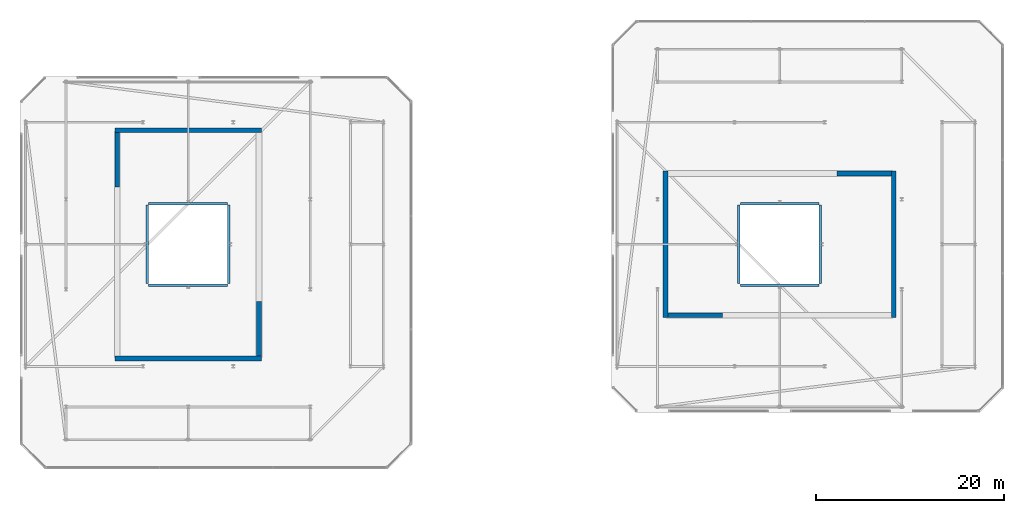
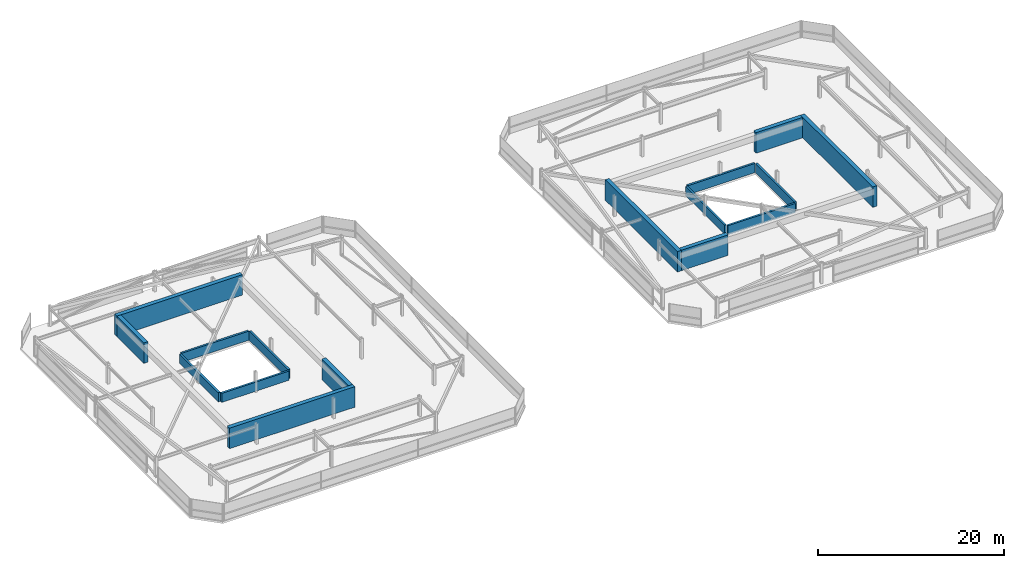
# One storey, part 44 of 44: 16 walls.
"""IFC4 building model written with IfcOpenShell, lengths in metres."""

from ifc_helpers import new_model, si_unit, direction, frame, frame_2d, origin, place, context, subcontext, project, spatial, rectangle, extrude, material, layer, layer_set, type_object, element, save


model = new_model("IFC4")

# Units and contexts
model_context = context("Model", 3, precision=1e-05, world=origin(), true_north=direction((0.0, 1.0)))
body_context = subcontext(model_context, "Body", "Model", "MODEL_VIEW")
ifc_project = project(units=[si_unit("LENGTHUNIT", "METRE"), si_unit("AREAUNIT", "SQUARE_METRE"), si_unit("VOLUMEUNIT", "CUBIC_METRE"), si_unit("PLANEANGLEUNIT", "RADIAN"), si_unit("MASSUNIT", "GRAM", prefix="KILO")], contexts=[model_context])

# Site, building, storey
site_placement = place(None, origin())
site = spatial("IfcSite", under=ifc_project, at=site_placement, CompositionType="ELEMENT")
building_placement = place(site_placement, origin())
building = spatial("IfcBuilding", under=site, at=building_placement, Name="Thornwick Lancets Civic Towers", CompositionType="ELEMENT")
storey_placement = place(building_placement, frame((0.0, 0.0, 294.89990234375)))
storey = spatial("IfcBuildingStorey", under=building, at=storey_placement, Name="C06", CompositionType="ELEMENT", Elevation=294.89990234375)

# Walls
ifc_material_1 = material(Name="Concrete C50/60", Category="concrete")
ifc_layer_1 = layer(ifc_material_1, 0.5, Name="Concrete C50/60")
ifc_layer_set_1 = layer_set([ifc_layer_1], Name="Concrete C50/60")
wall_type_1 = type_object("IfcWallType", Name="WALL_CORE_500", PredefinedType="SHEAR", material=ifc_layer_set_1)
wall_1_placement = place(storey_placement, frame((17.699951171875, 14.85009765625, 0.0), z_axis=(0.0, 0.0, 1.0), x_axis=(1.0, 0.0, 0.0)))
element("IfcWall", 1, at=wall_1_placement, inside=storey, type_object=wall_type_1, Name="C06 Split Core A1 Shear Wall S", PredefinedType="SHEAR", context=body_context, shape_type="SweptSolid", body=[
    extrude(rectangle(XDim=15.60009765625, YDim=0.5, at=frame_2d((7.800048828125, 0.0))), origin(), (0.0, 0.0, 1.0), 2.7001953125),
])
wall_2_placement = place(storey_placement, frame((33.050048828125, 15.10009765625, 0.0), z_axis=(0.0, 0.0, 1.0), x_axis=(0.0, 1.0, 0.0)))
element("IfcWall", 2, at=wall_2_placement, inside=storey, type_object=wall_type_1, Name="C06 Split Core A1 Shear Wall E", PredefinedType="SHEAR", context=body_context, shape_type="SweptSolid", body=[
    extrude(rectangle(XDim=5.7998046875, YDim=0.5, at=frame_2d((2.89990234375, 0.0))), origin(), (0.0, 0.0, 1.0), 2.7001953125),
])
wall_3_placement = place(storey_placement, frame((17.699951171875, 39.14990234375, 0.0), z_axis=(0.0, 0.0, 1.0), x_axis=(1.0, 0.0, 0.0)))
element("IfcWall", 3, at=wall_3_placement, inside=storey, type_object=wall_type_1, Name="C06 Split Core A2 Shear Wall N", PredefinedType="SHEAR", context=body_context, shape_type="SweptSolid", body=[
    extrude(rectangle(XDim=15.60009765625, YDim=0.5, at=frame_2d((7.800048828125, 0.0))), origin(), (0.0, 0.0, 1.0), 2.7001953125),
])
wall_4_placement = place(storey_placement, frame((17.949951171875, 33.10009765625, 0.0), z_axis=(0.0, 0.0, 1.0), x_axis=(0.0, 1.0, 0.0)))
element("IfcWall", 4, at=wall_4_placement, inside=storey, type_object=wall_type_1, Name="C06 Split Core A2 Shear Wall W", PredefinedType="SHEAR", context=body_context, shape_type="SweptSolid", body=[
    extrude(rectangle(XDim=5.7998046875, YDim=0.5, at=frame_2d((2.89990234375, 0.0))), origin(), (0.0, 0.0, 1.0), 2.7001953125),
])
wall_5_placement = place(storey_placement, frame((100.64990234375, 19.199951171875, 0.0), z_axis=(0.0, 0.0, 1.0), x_axis=(0.0, 1.0, 0.0)))
element("IfcWall", 5, at=wall_5_placement, inside=storey, type_object=wall_type_1, Name="C06 Split Core B1 Shear Wall E", PredefinedType="SHEAR", context=body_context, shape_type="SweptSolid", body=[
    extrude(rectangle(XDim=15.60009765625, YDim=0.5, at=frame_2d((7.800048828125, 0.0))), origin(), (0.0, 0.0, 1.0), 2.7001953125),
])
wall_6_placement = place(storey_placement, frame((94.60009765625, 34.550048828125, 0.0), z_axis=(0.0, 0.0, 1.0), x_axis=(1.0, 0.0, 0.0)))
element("IfcWall", 6, at=wall_6_placement, inside=storey, type_object=wall_type_1, Name="C06 Split Core B1 Shear Wall N", PredefinedType="SHEAR", context=body_context, shape_type="SweptSolid", body=[
    extrude(rectangle(XDim=5.7998046875, YDim=0.5, at=frame_2d((2.89990234375, 0.0))), origin(), (0.0, 0.0, 1.0), 2.7001953125),
])
wall_7_placement = place(storey_placement, frame((76.35009765625, 19.199951171875, 0.0), z_axis=(0.0, 0.0, 1.0), x_axis=(0.0, 1.0, 0.0)))
element("IfcWall", 7, at=wall_7_placement, inside=storey, type_object=wall_type_1, Name="C06 Split Core B2 Shear Wall W", PredefinedType="SHEAR", context=body_context, shape_type="SweptSolid", body=[
    extrude(rectangle(XDim=15.60009765625, YDim=0.5, at=frame_2d((7.800048828125, 0.0))), origin(), (0.0, 0.0, 1.0), 2.7001953125),
])
wall_8_placement = place(storey_placement, frame((76.60009765625, 19.449951171875, 0.0), z_axis=(0.0, 0.0, 1.0), x_axis=(1.0, 0.0, 0.0)))
element("IfcWall", 8, at=wall_8_placement, inside=storey, type_object=wall_type_1, Name="C06 Split Core B2 Shear Wall S", PredefinedType="SHEAR", context=body_context, shape_type="SweptSolid", body=[
    extrude(rectangle(XDim=5.7998046875, YDim=0.5, at=frame_2d((2.89990234375, 0.0))), origin(), (0.0, 0.0, 1.0), 2.7001953125),
])
ifc_material_2 = material(Name="Architectural terracotta parapet C40/50", Category="masonry")
ifc_layer_2 = layer(ifc_material_2, 0.25, Name="Architectural terracotta parapet C40/50")
ifc_layer_set_2 = layer_set([ifc_layer_2], Name="Architectural terracotta parapet C40/50")
wall_type_2 = type_object("IfcWallType", Name="WALL_PARAPET_250", PredefinedType="PARAPET", material=ifc_layer_set_2)
for number, where, z_axis, x_axis, name in (
    (9, (21.31005859375, 22.659912109375, 0.0), (0.0, 0.0, 1.0), (1.0, 0.0, 0.0), "C06 Tower A Crown Atrium Curb S"),
    (10, (29.68994140625, 31.340087890625, 0.0), (0.0, 0.0, 1.0), (-1.0, 0.0, 0.0), "C06 Tower A Crown Atrium Curb N"),
    (11, (21.159912109375, 31.18994140625, 0.0), (0.0, 0.0, 1.0), (0.0, -1.0, 0.0), "C06 Tower A Crown Atrium Curb W"),
    (12, (29.840087890625, 22.81005859375, 0.0), (0.0, 0.0, 1.0), (0.0, 1.0, 0.0), "C06 Tower A Crown Atrium Curb E"),
    (13, (84.31005859375, 22.659912109375, 0.0), (0.0, 0.0, 1.0), (1.0, 0.0, 0.0), "C06 Tower B Crown Atrium Curb S"),
    (14, (92.68994140625, 31.340087890625, 0.0), (0.0, 0.0, 1.0), (-1.0, 0.0, 0.0), "C06 Tower B Crown Atrium Curb N"),
    (15, (84.159912109375, 31.18994140625, 0.0), (0.0, 0.0, 1.0), (0.0, -1.0, 0.0), "C06 Tower B Crown Atrium Curb W"),
    (16, (92.840087890625, 22.81005859375, 0.0), (0.0, 0.0, 1.0), (0.0, 1.0, 0.0), "C06 Tower B Crown Atrium Curb E"),
):
    element("IfcWall", number, at=place(storey_placement, frame(where, z_axis=z_axis, x_axis=x_axis)), inside=storey, type_object=wall_type_2, Name=name, PredefinedType="PARAPET", context=body_context, shape_type="SweptSolid", body=[
        extrude(rectangle(XDim=8.3798828125, YDim=0.25, at=frame_2d((4.18994140625, 0.0))), origin(), (0.0, 0.0, 1.0), 1.2001953125),
    ])

save(model, "model.ifc")
